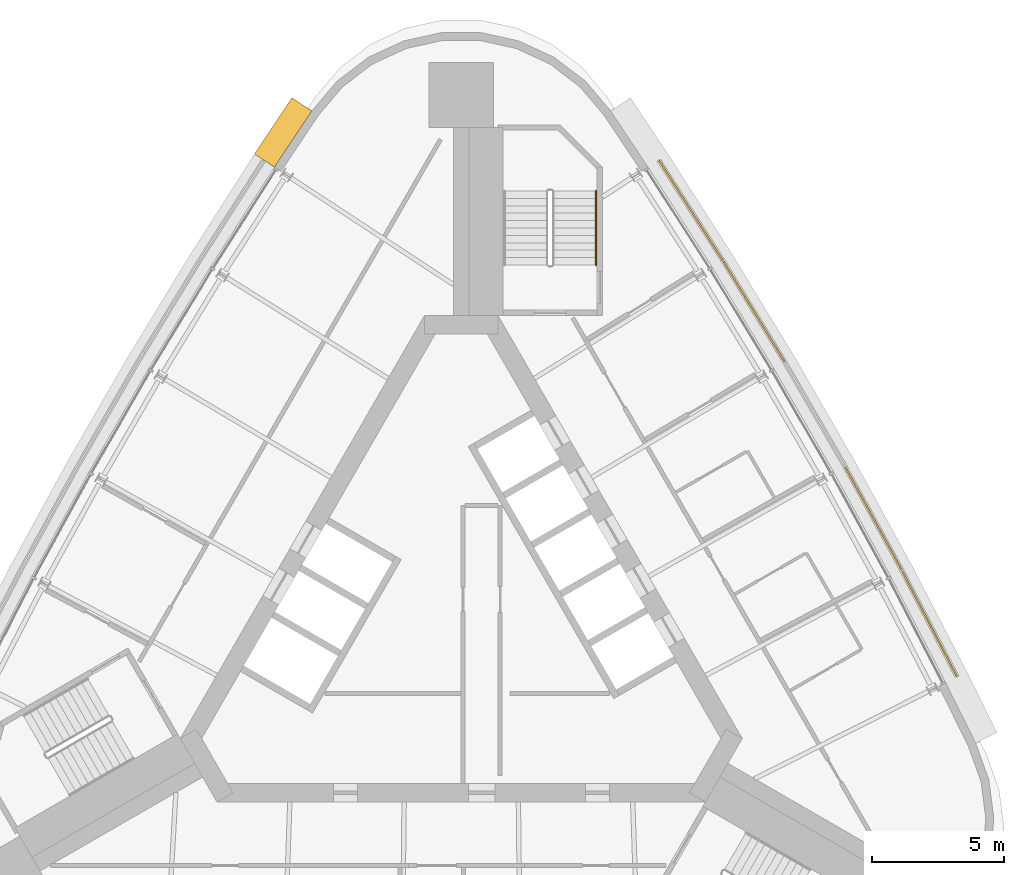
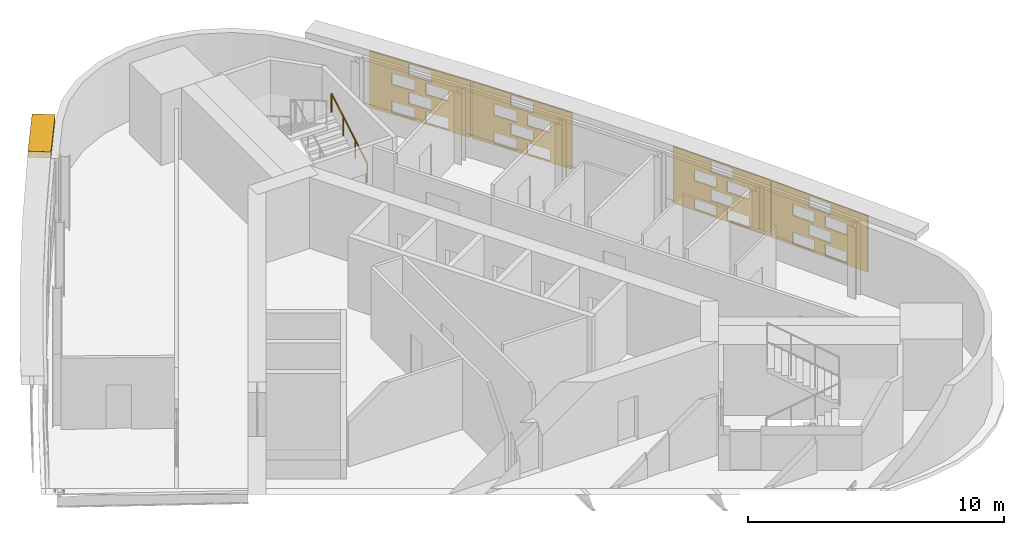
# One storey, part 10 of 10: 5 shading devices, 1 railing.
"""IFC4 building model written with IfcOpenShell, lengths in metres."""

import ifcopenshell
import ifcopenshell.guid

model = None  # the IFC model being written
_history = None  # IfcOwnerHistory: only IFC2X3 demands one
_inside = {}  # id of a spatial element -> (the spatial element, [elements in it])
_under = {}  # id of a project, library or spatial element -> (it, [spatial elements below it])
_declared = {}  # id of a project -> (the project, [libraries it declares])
_typed = {}  # id of a type object -> (the type object, [elements of that type])
_made_of = {}  # id of a material, layer set ... -> (it, [elements and type objects made of it])


def new_model(schema):
    """Start an empty IFC model of exactly this schema.

    Asked for "IFC4X3", IfcOpenShell would pick the latest addendum, in which some entities
    have other attributes; the version numbers below select the first issue.
    IFC2X3 requires an IfcOwnerHistory on every rooted entity: one is made here for all.
    """
    global model, _history
    if schema == "IFC4X3":
        model = ifcopenshell.file(schema_version=(4, 3, 0, 0))
    else:
        model = ifcopenshell.file(schema=schema)
    _inside.clear()
    _under.clear()
    _declared.clear()
    _typed.clear()
    _made_of.clear()
    _history = None
    if model.schema == "IFC2X3":
        org = make("IfcOrganization", Name="unknown")
        user = make(
            "IfcPersonAndOrganization",
            ThePerson=make("IfcPerson", FamilyName="unknown"),
            TheOrganization=org,
        )
        app = make(
            "IfcApplication",
            ApplicationDeveloper=org,
            Version="unknown",
            ApplicationFullName="unknown",
            ApplicationIdentifier="unknown",
        )
        _history = make(
            "IfcOwnerHistory",
            OwningUser=user,
            OwningApplication=app,
            ChangeAction="ADDED",
            CreationDate=0,
        )
    return model


def make(cls, **values):
    """One entity of the class cls with the attributes given. An attribute that is None is left unset."""
    return model.create_entity(
        cls, **{name: value for name, value in values.items() if value is not None}
    )


def rooted(cls, **values):
    """An entity with a GlobalId (a new one), such as an element, a storey or a relation."""
    return make(cls, GlobalId=ifcopenshell.guid.new(), OwnerHistory=_history, **values)


def si_unit(unit_type, name, prefix=None):
    """IfcSIUnit, for example si_unit("LENGTHUNIT", "METRE", prefix="MILLI")."""
    return make("IfcSIUnit", UnitType=unit_type, Prefix=prefix, Name=name)


def assignment(units):
    """IfcUnitAssignment: the units of a project."""
    return None if units is None else make("IfcUnitAssignment", Units=units)


def point(xyz):
    """IfcCartesianPoint."""
    return None if xyz is None else make("IfcCartesianPoint", Coordinates=xyz)


def direction(xyz):
    """IfcDirection."""
    return None if xyz is None else make("IfcDirection", DirectionRatios=xyz)


def frame(location, z_axis=None, x_axis=None):
    """IfcAxis2Placement3D, a coordinate frame: its origin and axes. An axis left out is left unset."""
    return make(
        "IfcAxis2Placement3D",
        Location=point(location),
        Axis=direction(z_axis),
        RefDirection=direction(x_axis),
    )


def frame_2d(location, x_axis=None):
    """IfcAxis2Placement2D, a coordinate frame in the plane: its origin and x axis."""
    return make(
        "IfcAxis2Placement2D", Location=point(location), RefDirection=direction(x_axis)
    )


def origin():
    """The frame at (0, 0, 0) with its axes left unset."""
    return frame((0.0, 0.0, 0.0))


def origin_2d():
    """The frame at (0, 0) in the plane with its x axis left unset."""
    return frame_2d((0.0, 0.0))


def place(relative_to, where):
    """IfcLocalPlacement: puts the frame where relative to a parent placement (None: the world)."""
    return make(
        "IfcLocalPlacement", PlacementRelTo=relative_to, RelativePlacement=where
    )


def context(
    kind, dimensions, precision=None, world=None, true_north=None, identifier=None
):
    """IfcGeometricRepresentationContext, for example the 3D "Model" context."""
    return make(
        "IfcGeometricRepresentationContext",
        ContextIdentifier=identifier,
        ContextType=kind,
        CoordinateSpaceDimension=dimensions,
        Precision=precision,
        WorldCoordinateSystem=world,
        TrueNorth=true_north,
    )


def subcontext(parent, identifier, kind, view, scale=None):
    """IfcGeometricRepresentationSubContext, for example "Body" below "Model"."""
    return make(
        "IfcGeometricRepresentationSubContext",
        ContextIdentifier=identifier,
        ContextType=kind,
        ParentContext=parent,
        TargetScale=scale,
        TargetView=view,
    )


def project(units=None, contexts=None):
    """IfcProject with its units and contexts."""
    return rooted(
        "IfcProject",
        Name="project",
        RepresentationContexts=contexts,
        UnitsInContext=assignment(units),
    )


def spatial(cls, under=None, at=None, **own):
    """A site, building, storey or space (cls), placed at a placement, below another one or the project."""
    s = rooted(cls, ObjectPlacement=at, **own)
    if under is not None:
        _under.setdefault(under.id(), (under, []))[1].append(s)
    return s


def polyline(points):
    """IfcPolyline through the points."""
    return make("IfcPolyline", Points=[point(p) for p in points])


def profile(cls, at=None, kind="AREA", **sizes):
    """A parametric profile (cls). Its sizes go by their IFC names, for example OverallWidth=200.0."""
    return make(cls, ProfileType=kind, Position=at, **sizes)


def circle(**sizes):
    """IfcCircleProfileDef."""
    return profile("IfcCircleProfileDef", **sizes)


def outline(outer, holes=None, kind="AREA"):
    """IfcArbitraryClosedProfileDef: a profile drawn as a closed curve; with holes, ...WithVoids."""
    if holes is None:
        return make("IfcArbitraryClosedProfileDef", ProfileType=kind, OuterCurve=outer)
    return make(
        "IfcArbitraryProfileDefWithVoids",
        ProfileType=kind,
        OuterCurve=outer,
        InnerCurves=holes,
    )


def extrude(swept, where, along, depth):
    """IfcExtrudedAreaSolid: the profile swept, set in the frame where, extruded along a direction by depth."""
    return make(
        "IfcExtrudedAreaSolid",
        SweptArea=swept,
        Position=where,
        ExtrudedDirection=direction(along),
        Depth=depth,
    )


def shape(context_of_items, identifier, shape_type, items):
    """IfcShapeRepresentation: the items that make up one representation, for example the "Body"."""
    return make(
        "IfcShapeRepresentation",
        ContextOfItems=context_of_items,
        RepresentationIdentifier=identifier,
        RepresentationType=shape_type,
        Items=items,
    )


def material(Name=None, Category=None):
    """IfcMaterial."""
    return make("IfcMaterial", Name=Name, Category=Category)


def material_profile(
    of_material, cross_section, Name=None, Category=None, Priority=None
):
    """IfcMaterialProfile: a cross section and its material."""
    return make(
        "IfcMaterialProfile",
        Name=Name,
        Material=of_material,
        Profile=cross_section,
        Priority=Priority,
        Category=Category,
    )


def profile_set(profiles, Name=None, composite=None):
    """IfcMaterialProfileSet."""
    return make(
        "IfcMaterialProfileSet",
        Name=Name,
        MaterialProfiles=profiles,
        CompositeProfile=composite,
    )


def made_of(thing, what):
    """Note that an element or type object is made of a material, layer set ...; save() writes the relation."""
    if what is not None:
        _made_of.setdefault(what.id(), (what, []))[1].append(thing)
    return thing


def type_object(cls, material=None, **own):
    """A type object (cls), such as IfcWallType, which elements share."""
    return made_of(rooted(cls, **own), material)


def element(
    cls,
    number,
    at=None,
    inside=None,
    cuts=None,
    type_object=None,
    material=None,
    context=None,
    identifier="Body",
    shape_type=None,
    held_by="IfcProductDefinitionShape",
    body=None,
    shapes=None,
    **own,
):
    """One element of the class cls, such as IfcWall. Its Tag is "e" and its number.

    at: its placement. inside: the storey or other place that contains it. cuts: it is an
    opening in that element (IfcRelVoidsElement). A single representation is given by context,
    identifier, shape_type and body (its items); several are given by shapes. held_by: the class
    of the entity that holds the representations. save() writes the other relations.
    """
    e = rooted(cls, Tag="e%d" % number, ObjectPlacement=at, **own)
    if body is not None:
        shapes = [shape(context, identifier, shape_type, body)]
    if shapes is not None:
        e.Representation = make(held_by, Representations=shapes)
    if inside is not None:
        _inside.setdefault(inside.id(), (inside, []))[1].append(e)
    if cuts is not None:
        rooted(
            "IfcRelVoidsElement", RelatingBuildingElement=cuts, RelatedOpeningElement=e
        )
    if type_object is not None:
        _typed.setdefault(type_object.id(), (type_object, []))[1].append(e)
    return made_of(e, material)


def aggregate(whole, parts):
    """IfcRelAggregates: a whole, such as a stair, and the parts it consists of."""
    return rooted("IfcRelAggregates", RelatingObject=whole, RelatedObjects=parts)


def save(model, path):
    """Write the relations noted so far, then the file.

    IfcRelAggregates (storeys below a building ...), IfcRelContainedInSpatialStructure (elements
    in a storey), IfcRelDefinesByType, IfcRelAssociatesMaterial and IfcRelDeclares: one each for
    every whole, place, type object, material and project.
    """
    for whole, parts in _under.values():
        aggregate(whole, parts)
    for where, things in _inside.values():
        rooted(
            "IfcRelContainedInSpatialStructure",
            RelatedElements=things,
            RelatingStructure=where,
        )
    for kind, things in _typed.values():
        rooted("IfcRelDefinesByType", RelatedObjects=things, RelatingType=kind)
    for what, things in _made_of.values():
        rooted("IfcRelAssociatesMaterial", RelatedObjects=things, RelatingMaterial=what)
    for by, libraries in _declared.values():
        rooted("IfcRelDeclares", RelatingContext=by, RelatedDefinitions=libraries)
    model.write(path)


model = new_model("IFC4")

# Units and contexts
model_context = context("Model", 3, precision=1e-05, world=origin(), true_north=direction((0.0, 1.0)))
body_context = subcontext(model_context, "Body", "Model", "MODEL_VIEW")
ifc_project = project(units=[si_unit("LENGTHUNIT", "METRE"), si_unit("AREAUNIT", "SQUARE_METRE"), si_unit("VOLUMEUNIT", "CUBIC_METRE"), si_unit("PLANEANGLEUNIT", "RADIAN"), si_unit("MASSUNIT", "GRAM", prefix="KILO")], contexts=[model_context])

# Site, building, storey
site_placement = place(None, origin())
site = spatial("IfcSite", under=ifc_project, at=site_placement, CompositionType="ELEMENT")
building_placement = place(site_placement, origin())
building = spatial("IfcBuilding", under=site, at=building_placement, Name="Noor Cloister Tower", CompositionType="ELEMENT")
storey_placement = place(building_placement, frame((0.0, 0.0, 240.0)))
storey = spatial("IfcBuildingStorey", under=building, at=storey_placement, Name="L62", CompositionType="ELEMENT", Elevation=240.0)

# Shading devices
ifc_material_1 = material(Name="Limestone", Category="masonry")
ifc_material_profile = material_profile(ifc_material_1, outline(polyline([(-2.22998046875, -1.35009765625), (2.22998046875, -1.35009765625), (2.22998046875, 1.35009765625), (-2.22998046875, 1.35009765625), (-2.22998046875, -1.35009765625)]), holes=[polyline([(-1.25, -1.282470703125), (-0.25, -1.282470703125), (-0.25, -0.742431640625), (-1.25, -0.742431640625), (-1.25, -1.282470703125)]), polyline([(0.25, -1.282470703125), (1.25, -1.282470703125), (1.25, -0.742431640625), (0.25, -0.742431640625), (0.25, -1.282470703125)]), polyline([(-0.5, -0.607421875), (0.5, -0.607421875), (0.5, -0.0673828125), (-0.5, -0.0673828125), (-0.5, -0.607421875)]), polyline([(-1.25, 0.0673828125), (-0.25, 0.0673828125), (-0.25, 0.607421875), (-1.25, 0.607421875), (-1.25, 0.0673828125)]), polyline([(0.25, 0.0673828125), (1.25, 0.0673828125), (1.25, 0.607421875), (0.25, 0.607421875), (0.25, 0.0673828125)]), polyline([(-0.5, 0.742431640625), (0.5, 0.742431640625), (0.5, 1.282470703125), (-0.5, 1.282470703125), (-0.5, 0.742431640625)])]), Name="Woven screen 35 percent open")
ifc_profile_set = profile_set([ifc_material_profile], Name="Limestone")
shading_device_type_1 = type_object("IfcShadingDeviceType", Name="SCREEN woven limestone 35 percent open", PredefinedType="USERDEFINED", material=ifc_profile_set)
shading_device_1_placement = place(storey_placement, frame((17.666259765625, -0.212158203125, 1.85009765625), z_axis=(0.887816162103, 0.460198285861, 0.0), x_axis=(-0.460198285861, 0.887816162103, 0.0)))
element("IfcShadingDevice", 1, at=shading_device_1_placement, inside=storey, type_object=shading_device_type_1, Name="SCREEN L62 1", ObjectType="SCREEN", PredefinedType="USERDEFINED", context=body_context, shape_type="SweptSolid", body=[
    extrude(outline(polyline([(-2.22998046875, -1.35009765625), (2.22998046875, -1.35009765625), (2.22998046875, 1.35009765625), (-2.22998046875, 1.35009765625), (-2.22998046875, -1.35009765625)]), holes=[polyline([(-1.25, -1.282470703125), (-0.25, -1.282470703125), (-0.25, -0.742431640625), (-1.25, -0.742431640625), (-1.25, -1.282470703125)]), polyline([(0.25, -1.282470703125), (1.25, -1.282470703125), (1.25, -0.742431640625), (0.25, -0.742431640625), (0.25, -1.282470703125)]), polyline([(-0.5, -0.607421875), (0.5, -0.607421875), (0.5, -0.0673828125), (-0.5, -0.0673828125), (-0.5, -0.607421875)]), polyline([(-1.25, 0.0673828125), (-0.25, 0.0673828125), (-0.25, 0.607421875), (-1.25, 0.607421875), (-1.25, 0.0673828125)]), polyline([(0.25, 0.0673828125), (1.25, 0.0673828125), (1.25, 0.607421875), (0.25, 0.607421875), (0.25, 0.0673828125)]), polyline([(-0.5, 0.742431640625), (0.5, 0.742431640625), (0.5, 1.282470703125), (-0.5, 1.282470703125), (-0.5, 0.742431640625)])]), origin(), (0.0, 0.0, 1.0), 0.06005859375),
])
shading_device_2_placement = place(storey_placement, frame((15.546875, 3.768798828125, 1.85009765625), z_axis=(0.876645997325, 0.481135942718, 0.0), x_axis=(-0.481135942718, 0.876645997325, 0.0)))
element("IfcShadingDevice", 2, at=shading_device_2_placement, inside=storey, type_object=shading_device_type_1, Name="SCREEN L62 2", ObjectType="SCREEN", PredefinedType="USERDEFINED", context=body_context, shape_type="SweptSolid", body=[
    extrude(outline(polyline([(-2.22998046875, -1.35009765625), (2.22998046875, -1.35009765625), (2.22998046875, 1.35009765625), (-2.22998046875, 1.35009765625), (-2.22998046875, -1.35009765625)]), holes=[polyline([(-1.25, -1.282470703125), (-0.25, -1.282470703125), (-0.25, -0.742431640625), (-1.25, -0.742431640625), (-1.25, -1.282470703125)]), polyline([(0.25, -1.282470703125), (1.25, -1.282470703125), (1.25, -0.742431640625), (0.25, -0.742431640625), (0.25, -1.282470703125)]), polyline([(-0.5, -0.607421875), (0.5, -0.607421875), (0.5, -0.0673828125), (-0.5, -0.0673828125), (-0.5, -0.607421875)]), polyline([(-1.25, 0.0673828125), (-0.25, 0.0673828125), (-0.25, 0.607421875), (-1.25, 0.607421875), (-1.25, 0.0673828125)]), polyline([(0.25, 0.0673828125), (1.25, 0.0673828125), (1.25, 0.607421875), (0.25, 0.607421875), (0.25, 0.0673828125)]), polyline([(-0.5, 0.742431640625), (0.5, 0.742431640625), (0.5, 1.282470703125), (-0.5, 1.282470703125), (-0.5, 0.742431640625)])]), origin(), (0.0, 0.0, 1.0), 0.059814453125),
])
for number, where, z_axis, x_axis, name in (
    (3, (11.037109375, 11.57958984375, 1.85009765625), (0.853884327381, 0.520462828118, 0.0), (-0.520462828118, 0.853884327381, 0.0), "SCREEN L62 4"),
    (4, (8.649169921875, 15.405517578125, 1.85009765625), (0.8431579539, 0.537665941617, 0.0), (-0.537665941617, 0.8431579539, 0.0), "SCREEN L62 5"),
):
    element("IfcShadingDevice", number, at=place(storey_placement, frame(where, z_axis=z_axis, x_axis=x_axis)), inside=storey, type_object=shading_device_type_1, Name=name, ObjectType="SCREEN", PredefinedType="USERDEFINED", context=body_context, shape_type="SweptSolid", body=[
        extrude(outline(polyline([(-2.22998046875, -1.35009765625), (2.22998046875, -1.35009765625), (2.22998046875, 1.35009765625), (-2.22998046875, 1.35009765625), (-2.22998046875, -1.35009765625)]), holes=[polyline([(-1.25, -1.282470703125), (-0.25, -1.282470703125), (-0.25, -0.742431640625), (-1.25, -0.742431640625), (-1.25, -1.282470703125)]), polyline([(0.25, -1.282470703125), (1.25, -1.282470703125), (1.25, -0.742431640625), (0.25, -0.742431640625), (0.25, -1.282470703125)]), polyline([(-0.5, -0.607421875), (0.5, -0.607421875), (0.5, -0.0673828125), (-0.5, -0.0673828125), (-0.5, -0.607421875)]), polyline([(-1.25, 0.0673828125), (-0.25, 0.0673828125), (-0.25, 0.607421875), (-1.25, 0.607421875), (-1.25, 0.0673828125)]), polyline([(0.25, 0.0673828125), (1.25, 0.0673828125), (1.25, 0.607421875), (0.25, 0.607421875), (0.25, 0.0673828125)]), polyline([(-0.5, 0.742431640625), (0.5, 0.742431640625), (0.5, 1.282470703125), (-0.5, 1.282470703125), (-0.5, 0.742431640625)])]), origin(), (0.0, 0.0, 1.0), 0.06005859375),
    ])
ifc_material_2 = material(Name="Limestone", Category="masonry")
shading_device_type_2 = type_object("IfcShadingDeviceType", Name="SUNSHADE limestone band 900", PredefinedType="USERDEFINED", material=ifc_material_2)
shading_device_3_placement = place(storey_placement, frame((0.0, 0.0, 3.300048828125)))
element("IfcShadingDevice", 5, at=shading_device_3_placement, inside=storey, type_object=shading_device_type_2, Name="SUNSHADE L62 4", ObjectType="SUNSHADE", PredefinedType="USERDEFINED", context=body_context, shape_type="SweptSolid", body=[
    extrude(outline(polyline([(-6.39306640625, 19.67919921875), (-7.806396484375, 17.556396484375), (-7.05712890625, 17.0576171875), (-5.643798828125, 19.180419921875), (-6.39306640625, 19.67919921875)])), origin(), (0.0, 0.0, 1.0), 0.300048828125),
])

# Railing
ifc_material_3 = material(Name="Stainless steel", Category="steel")
railing_type = type_object("IfcRailingType", Name="Stair handrail 900", PredefinedType="HANDRAIL", material=ifc_material_3)
railing_placement = place(storey_placement, frame((5.085693359375, 13.3564453125, 0.16357421875)))
element("IfcRailing", 6, at=railing_placement, inside=storey, type_object=railing_type, Name="Stair handrail ST1 L62 1", PredefinedType="HANDRAIL", context=body_context, shape_type="SweptSolid", body=[
    extrude(circle(Radius=0.02392578125, at=origin_2d()), frame((0.0, 0.0, 0.8759765625), z_axis=(0.0, 0.863360870873, 0.504586966384), x_axis=(-1.0, 0.0, 0.0)), (0.0, 0.0, 1.0), 3.2431640625),
    extrude(circle(Radius=0.02099609375, at=origin_2d()), origin(), (0.0, 0.0, 1.0), 0.851806640625),
    extrude(circle(Radius=0.02099609375, at=origin_2d()), frame((0.0, 0.933349609375, 0.54541015625)), (0.0, 0.0, 1.0), 0.851806640625),
    extrude(circle(Radius=0.02099609375, at=origin_2d()), frame((0.0, 1.86669921875, 1.091064453125)), (0.0, 0.0, 1.0), 0.851806640625),
    extrude(circle(Radius=0.02099609375, at=origin_2d()), frame((0.0, 2.800048828125, 1.636474609375)), (0.0, 0.0, 1.0), 0.851806640625),
])

save(model, "model.ifc")
